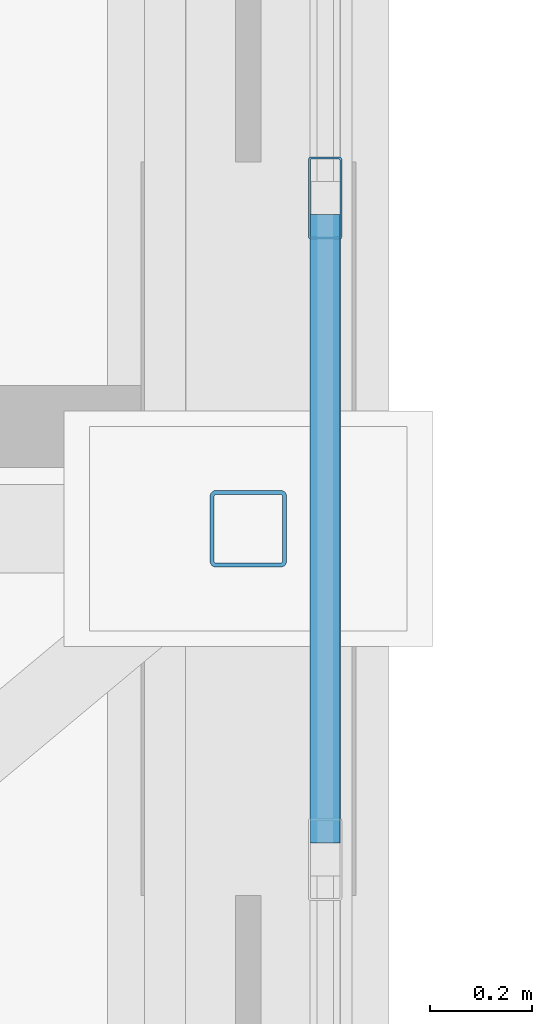
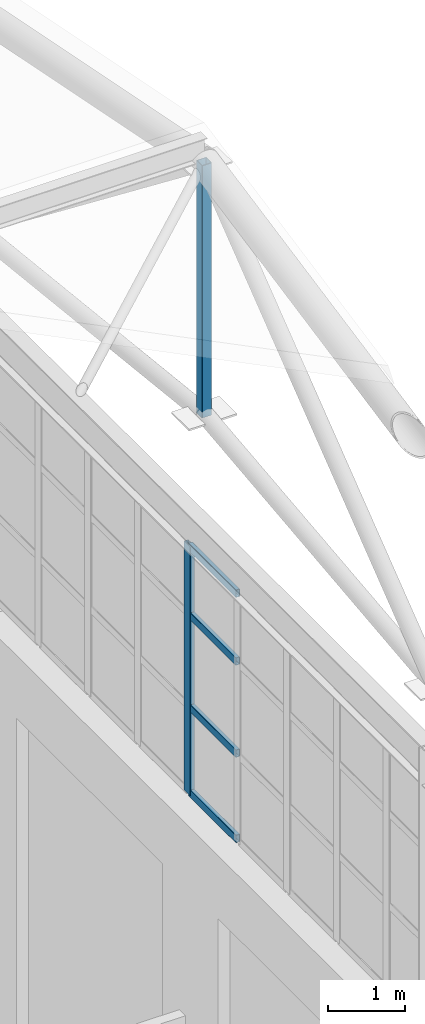
# One storey, part 192 of 293: 6 members, 1 element without a shape of its own.
"""IFC4 building model written with IfcOpenShell, lengths in metres."""

from ifc_helpers import new_model, si_unit, direction, frame, origin, origin_2d, place, context, subcontext, project, spatial, hollow_rectangle, extrude, material, layer, layer_set, material_profile, profile_set, type_object, element, aggregate, save


model = new_model("IFC4")

# Units and contexts
model_context = context("Model", 3, precision=1e-05, world=origin(), true_north=direction((0.0, 1.0)))
body_context = subcontext(model_context, "Body", "Model", "MODEL_VIEW")
ifc_project = project(units=[si_unit("LENGTHUNIT", "METRE"), si_unit("AREAUNIT", "SQUARE_METRE"), si_unit("VOLUMEUNIT", "CUBIC_METRE"), si_unit("PLANEANGLEUNIT", "RADIAN"), si_unit("MASSUNIT", "GRAM", prefix="KILO")], contexts=[model_context])

# Site, building, storey
site_placement = place(None, origin())
site = spatial("IfcSite", under=ifc_project, at=site_placement, CompositionType="ELEMENT")
building_placement = place(site_placement, origin())
building = spatial("IfcBuilding", under=site, at=building_placement, Name="Kemerveld Promenade Tramway Depot", CompositionType="ELEMENT")
storey_placement = place(building_placement, origin())
storey = spatial("IfcBuildingStorey", under=building, at=storey_placement, Name="L00", CompositionType="ELEMENT", Elevation=0.0)

# Curtain wall, members
ifc_material_1 = material(Name="Bronze anodised aluminium and solar glass", Category="aluminium")
ifc_layer = layer(ifc_material_1, 0.159912109375)
ifc_layer_set = layer_set([ifc_layer], Name="CW-SYS-13")
curtain_wall_type = type_object("IfcCurtainWallType", Name="CW-SYS-13", PredefinedType="USERDEFINED", material=ifc_layer_set)
curtain_wall_placement = place(storey_placement, origin())
curtain_wall = element("IfcCurtainWall", 1, at=curtain_wall_placement, inside=storey, type_object=curtain_wall_type, Name="CW-V1-E-03", ObjectType="GLAZED_CURTAIN_WALL", PredefinedType="USERDEFINED")
ifc_material_2 = material(Name="Bronze anodised aluminium", Category="aluminium")
ifc_material_profile_1 = material_profile(ifc_material_2, hollow_rectangle(XDim=0.06494140625, YDim=0.159912109375, WallThickness=0.00390625, InnerFilletRadius=0.001953125, OuterFilletRadius=0.00390625, at=origin_2d()), Name="CW-MUL-160x65")
ifc_profile_set_1 = profile_set([ifc_material_profile_1], Name="Bronze anodised aluminium")
member_type_1 = type_object("IfcMemberType", Name="CW-MUL-A", PredefinedType="MULLION", material=ifc_profile_set_1)
member_1_placement = place(storey_placement, frame((187.35009765625, 114.646240234375, 6.64990234375), z_axis=(0.0, 0.0, 1.0), x_axis=(1.0, 0.0, 0.0)))
member_1 = element("IfcMember", 2, at=member_1_placement, type_object=member_type_1, Name="CW13 mullion 5", PredefinedType="MULLION", context=body_context, shape_type="SweptSolid", body=[
    extrude(hollow_rectangle(XDim=0.06494140625, YDim=0.159912109375, WallThickness=0.00390625, InnerFilletRadius=0.001953125, OuterFilletRadius=0.00390625, at=origin_2d()), origin(), (0.0, 0.0, 1.0), 3.9501953125),
])
ifc_material_profile_2 = material_profile(ifc_material_2, hollow_rectangle(XDim=0.06005859375, YDim=0.1201171875, WallThickness=0.00390625, InnerFilletRadius=0.001953125, OuterFilletRadius=0.00390625, at=origin_2d()), Name="CW-TRN-120x60")
ifc_profile_set_2 = profile_set([ifc_material_profile_2], Name="Bronze anodised aluminium")
member_type_2 = type_object("IfcMemberType", Name="CW-TRN-A", PredefinedType="USERDEFINED", material=ifc_profile_set_2)
member_2_placement = place(storey_placement, frame((187.35009765625, 114.61376953125, 6.679931640625), z_axis=(0.0, -1.0, 0.0), x_axis=(1.0, 0.0, 0.0)))
member_2 = element("IfcMember", 3, at=member_2_placement, type_object=member_type_2, Name="CW13 transom 5.1", ObjectType="TRANSOM", PredefinedType="USERDEFINED", context=body_context, shape_type="SweptSolid", body=[
    extrude(hollow_rectangle(XDim=0.06005859375, YDim=0.1201171875, WallThickness=0.00390625, InnerFilletRadius=0.001953125, OuterFilletRadius=0.00390625, at=origin_2d()), origin(), (0.0, 0.0, 1.0), 1.2275390625),
])
member_3_placement = place(storey_placement, frame((187.35009765625, 114.61376953125, 8.032958984375), z_axis=(0.0, -1.0, 0.0), x_axis=(1.0, 0.0, 0.0)))
member_3 = element("IfcMember", 4, at=member_3_placement, type_object=member_type_2, Name="CW13 transom 5.2", ObjectType="TRANSOM", PredefinedType="USERDEFINED", context=body_context, shape_type="SweptSolid", body=[
    extrude(hollow_rectangle(XDim=0.06005859375, YDim=0.1201171875, WallThickness=0.00390625, InnerFilletRadius=0.001953125, OuterFilletRadius=0.00390625, at=origin_2d()), origin(), (0.0, 0.0, 1.0), 1.2275390625),
])
member_4_placement = place(storey_placement, frame((187.35009765625, 114.61376953125, 9.493896484375), z_axis=(0.0, -1.0, 0.0), x_axis=(1.0, 0.0, 0.0)))
member_4 = element("IfcMember", 5, at=member_4_placement, type_object=member_type_2, Name="CW13 transom 5.3", ObjectType="TRANSOM", PredefinedType="USERDEFINED", context=body_context, shape_type="SweptSolid", body=[
    extrude(hollow_rectangle(XDim=0.06005859375, YDim=0.1201171875, WallThickness=0.00390625, InnerFilletRadius=0.001953125, OuterFilletRadius=0.00390625, at=origin_2d()), origin(), (0.0, 0.0, 1.0), 1.2275390625),
])
member_5_placement = place(storey_placement, frame((187.35009765625, 114.61376953125, 10.570068359375), z_axis=(0.0, -1.0, 0.0), x_axis=(1.0, 0.0, 0.0)))
member_5 = element("IfcMember", 6, at=member_5_placement, type_object=member_type_2, Name="CW13 transom 5.4", ObjectType="TRANSOM", PredefinedType="USERDEFINED", context=body_context, shape_type="SweptSolid", body=[
    extrude(hollow_rectangle(XDim=0.06005859375, YDim=0.1201171875, WallThickness=0.00390625, InnerFilletRadius=0.001953125, OuterFilletRadius=0.00390625, at=origin_2d()), origin(), (0.0, 0.0, 1.0), 1.2275390625),
])
aggregate(curtain_wall, [member_1, member_2, member_3, member_4, member_5])

# Member
ifc_material_3 = material(Name="Steel S355", Category="steel")
ifc_material_profile_3 = material_profile(ifc_material_3, hollow_rectangle(XDim=0.14990234375, YDim=0.14990234375, WallThickness=0.008056640625, InnerFilletRadius=0.00390625, OuterFilletRadius=0.011962890625, at=origin_2d()), Name="150x150x8.0 SHS")
ifc_profile_set_3 = profile_set([ifc_material_profile_3], Name="Steel S355")
member_type_3 = type_object("IfcMemberType", Name="MB-TP2", PredefinedType="POST", material=ifc_profile_set_3)
member_6_placement = place(storey_placement, frame((187.199951171875, 114.0, 13.10009765625), z_axis=(0.0, 0.0, 1.0), x_axis=(1.0, 0.0, 0.0)))
element("IfcMember", 7, at=member_6_placement, inside=storey, type_object=member_type_3, Name="TR-27-VT-05", PredefinedType="POST", context=body_context, shape_type="SweptSolid", body=[
    extrude(hollow_rectangle(XDim=0.14990234375, YDim=0.14990234375, WallThickness=0.008056640625, InnerFilletRadius=0.00390625, OuterFilletRadius=0.011962890625, at=origin_2d()), origin(), (0.0, 0.0, 1.0), 4.0),
])

save(model, "model.ifc")
